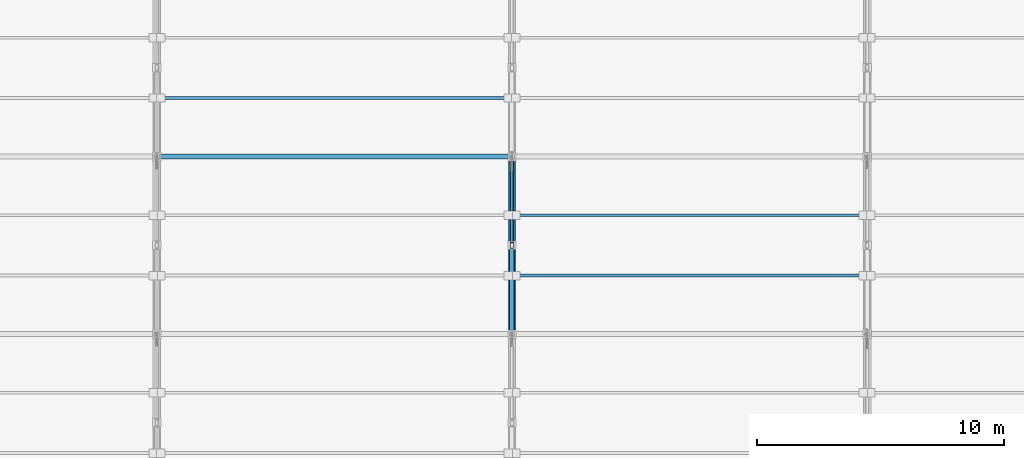
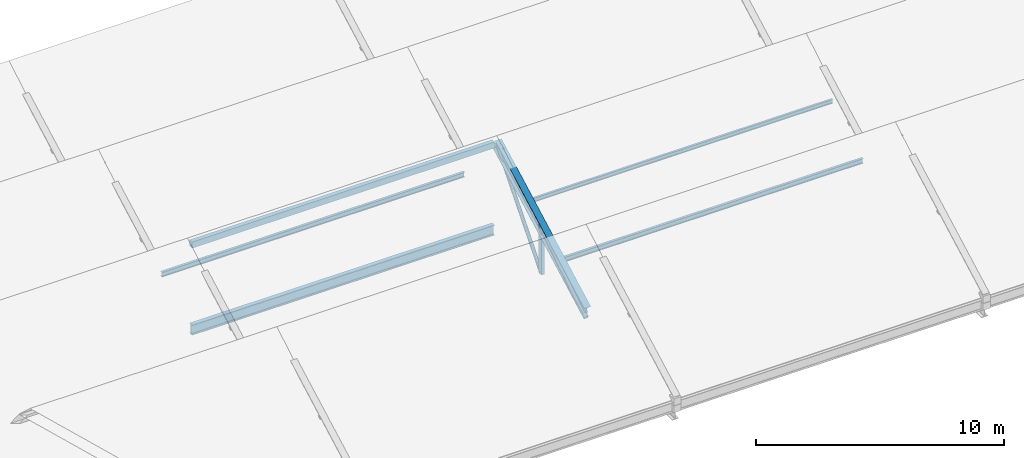
# One storey, part 15 of 51: 8 members, 1 beam.
"""IFC4 building model written with IfcOpenShell, lengths in metres."""

from ifc_helpers import new_model, si_unit, direction, frame, origin, origin_2d, place, context, subcontext, project, spatial, hollow_rectangle, hollow_circle, i_section, extrude, material, material_profile, profile_set, type_object, element, save


model = new_model("IFC4")

# Units and contexts
model_context = context("Model", 3, precision=1e-05, world=origin(), true_north=direction((0.0, 1.0)))
body_context = subcontext(model_context, "Body", "Model", "MODEL_VIEW")
ifc_project = project(units=[si_unit("LENGTHUNIT", "METRE"), si_unit("AREAUNIT", "SQUARE_METRE"), si_unit("VOLUMEUNIT", "CUBIC_METRE"), si_unit("PLANEANGLEUNIT", "RADIAN"), si_unit("MASSUNIT", "GRAM", prefix="KILO")], contexts=[model_context])

# Site, building, storey
site_placement = place(None, origin())
site = spatial("IfcSite", under=ifc_project, at=site_placement, CompositionType="ELEMENT")
building_placement = place(site_placement, origin())
building = spatial("IfcBuilding", under=site, at=building_placement, Name="Valkovuoma Quantum and Materials Research Institute", CompositionType="ELEMENT")
storey_placement = place(building_placement, frame((0.0, 0.0, 17.280029296875)))
storey = spatial("IfcBuildingStorey", under=building, at=storey_placement, Name="L04", CompositionType="ELEMENT", Elevation=17.280029296875)

# Beam
ifc_material_1 = material(Name="Steel S355J2", Category="steel")
ifc_material_profile_1 = material_profile(ifc_material_1, i_section(OverallWidth=0.199951171875, OverallDepth=0.5, WebThickness=0.01025390625, FlangeThickness=0.01611328125, FilletRadius=0.02099609375, at=origin_2d()), Name="Steel S355J2")
ifc_profile_set_1 = profile_set([ifc_material_profile_1], Name="Steel S355J2")
beam_type = type_object("IfcBeamType", Name="Beam-B-IPE500", PredefinedType="BEAM", material=ifc_profile_set_1)
beam_placement = place(storey_placement, frame((57.75, 50.39990234375, -0.300048828125), z_axis=(1.0, 0.0, 0.0), x_axis=(0.0, 1.0, 0.0)))
element("IfcBeam", 1, at=beam_placement, inside=storey, type_object=beam_type, Name="L04 VOL2 valley beam 3.2", PredefinedType="BEAM", context=body_context, shape_type="SweptSolid", body=[
    extrude(i_section(OverallWidth=0.199951171875, OverallDepth=0.5, WebThickness=0.01025390625, FlangeThickness=0.01611328125, FilletRadius=0.02099609375, at=origin_2d()), origin(), (0.0, 0.0, 1.0), 14.10009765625),
])

# Members
ifc_material_2 = material(Name="Steel S355J2H", Category="steel")
ifc_material_profile_2 = material_profile(ifc_material_2, hollow_circle(Radius=0.084228515625, WallThickness=0.008056640625, at=origin_2d()), Name="Steel S355J2H")
ifc_profile_set_2 = profile_set([ifc_material_profile_2], Name="Steel S355J2H")
member_type_1 = type_object("IfcMemberType", Name="Mem-M-BRC168", PredefinedType="BRACE", material=ifc_profile_set_2)
member_1_placement = place(storey_placement, frame((72.0, 46.800048828125, -0.35009765625), z_axis=(0.0, 0.647216384213, 0.762306337378), x_axis=(-1.0, 0.0, 0.0)))
element("IfcMember", 2, at=member_1_placement, inside=storey, type_object=member_type_1, Name="L04 VOL2 sawtooth web brace 3.2B", PredefinedType="BRACE", context=body_context, shape_type="SweptSolid", body=[
    extrude(hollow_circle(Radius=0.084228515625, WallThickness=0.008056640625, at=origin_2d()), origin(), (0.0, 0.0, 1.0), 5.56201171875),
])
ifc_material_3 = material(Name="Steel S355J2H", Category="steel")
ifc_material_profile_3 = material_profile(ifc_material_3, hollow_circle(Radius=0.109619140625, WallThickness=0.010009765625, at=origin_2d()), Name="Steel S355J2H")
ifc_profile_set_3 = profile_set([ifc_material_profile_3], Name="Steel S355J2H")
member_type_2 = type_object("IfcMemberType", Name="Mem-M-BRC219", PredefinedType="BRACE", material=ifc_profile_set_3)
member_2_placement = place(storey_placement, frame((72.0, 43.199951171875, -0.35009765625), z_axis=(0.0, 0.843216181903, 0.537574618613), x_axis=(-1.0, 0.0, 0.0)))
element("IfcMember", 3, at=member_2_placement, inside=storey, type_object=member_type_2, Name="L04 VOL2 sawtooth web brace 3.2A", PredefinedType="BRACE", context=body_context, shape_type="SweptSolid", body=[
    extrude(hollow_circle(Radius=0.109619140625, WallThickness=0.010009765625, at=origin_2d()), origin(), (0.0, 0.0, 1.0), 4.26953125),
])
ifc_material_4 = material(Name="Steel S355J2H", Category="steel")
ifc_material_profile_4 = material_profile(ifc_material_4, hollow_rectangle(XDim=0.199951171875, YDim=0.300048828125, WallThickness=0.012451171875, at=origin_2d()), Name="Steel S355J2H")
ifc_profile_set_4 = profile_set([ifc_material_profile_4], Name="Steel S355J2H")
member_type_3 = type_object("IfcMemberType", Name="Mem-M-CHD300", PredefinedType="CHORD", material=ifc_profile_set_4)
member_3_placement = place(storey_placement, frame((57.75, 50.39990234375, 3.889892578125), z_axis=(1.0, 0.0, 0.0), x_axis=(0.0, 1.0, 0.0)))
element("IfcMember", 4, at=member_3_placement, inside=storey, type_object=member_type_3, Name="L04 VOL2 ridge chord 2.2", PredefinedType="CHORD", context=body_context, shape_type="SweptSolid", body=[
    extrude(hollow_rectangle(XDim=0.199951171875, YDim=0.300048828125, WallThickness=0.012451171875, at=origin_2d()), origin(), (0.0, 0.0, 1.0), 14.10009765625),
])
ifc_material_5 = material(Name="Steel S355J2", Category="steel")
ifc_material_profile_5 = material_profile(ifc_material_5, i_section(OverallWidth=0.300048828125, OverallDepth=0.5, WebThickness=0.014404296875, FlangeThickness=0.028076171875, FilletRadius=0.027099609375, at=origin_2d()), Name="Steel S355J2")
ifc_profile_set_5 = profile_set([ifc_material_profile_5], Name="Steel S355J2")
member_type_4 = type_object("IfcMemberType", Name="Mem-M-CHD500", PredefinedType="CHORD", material=ifc_profile_set_5)
member_4_placement = place(storey_placement, frame((72.0, 43.199951171875, 0.0), z_axis=(0.0, 0.879807342754, 0.475330453091), x_axis=(-1.0, 0.0, 0.0)))
element("IfcMember", 5, at=member_4_placement, inside=storey, type_object=member_type_4, Name="L04 VOL2 sawtooth top chord 3.2", PredefinedType="CHORD", context=body_context, shape_type="SweptSolid", body=[
    extrude(i_section(OverallWidth=0.300048828125, OverallDepth=0.5, WebThickness=0.014404296875, FlangeThickness=0.028076171875, FilletRadius=0.027099609375, at=origin_2d()), origin(), (0.0, 0.0, 1.0), 8.18359375),
])
ifc_material_6 = material(Name="Steel S355J2", Category="steel")
ifc_material_profile_6 = material_profile(ifc_material_6, i_section(OverallWidth=0.10009765625, OverallDepth=0.199951171875, WebThickness=0.005615234375, FlangeThickness=0.008544921875, FilletRadius=0.011962890625, at=origin_2d()), Name="Steel S355J2")
ifc_profile_set_6 = profile_set([ifc_material_profile_6], Name="Steel S355J2")
member_type_5 = type_object("IfcMemberType", Name="Mem-M-PRL200", PredefinedType="PURLIN", material=ifc_profile_set_6)
member_5_placement = place(storey_placement, frame((72.14990234375, 48.02392578125, 2.405517578125), z_axis=(1.0, 0.0, 0.0), x_axis=(0.0, 1.0, 0.0)))
element("IfcMember", 6, at=member_5_placement, inside=storey, type_object=member_type_5, Name="L04 VOL2 roof purlin 2.3.2", PredefinedType="PURLIN", context=body_context, shape_type="SweptSolid", body=[
    extrude(i_section(OverallWidth=0.10009765625, OverallDepth=0.199951171875, WebThickness=0.005615234375, FlangeThickness=0.008544921875, FilletRadius=0.011962890625, at=origin_2d()), origin(), (0.0, 0.0, 1.0), 14.10009765625),
])
ifc_material_7 = material(Name="Steel S355J2", Category="steel")
ifc_material_profile_7 = material_profile(ifc_material_7, i_section(OverallWidth=0.1201171875, OverallDepth=0.239990234375, WebThickness=0.006103515625, FlangeThickness=0.009765625, FilletRadius=0.014892578125, at=origin_2d()), Name="Steel S355J2")
ifc_profile_set_7 = profile_set([ifc_material_profile_7], Name="Steel S355J2")
member_type_6 = type_object("IfcMemberType", Name="Mem-M-PRL240", PredefinedType="PURLIN", material=ifc_profile_set_7)
for number, where, z_axis, x_axis, name in (
    (7, (72.14990234375, 45.575927734375, 0.9638671875), (1.0, 0.0, 0.0), (0.0, 1.0, 0.0), "L04 VOL2 roof purlin 2.3.1"),
    (8, (57.75, 52.77587890625, 0.9638671875), (1.0, 0.0, 0.0), (0.0, 1.0, 0.0), "L04 VOL2 roof purlin 3.2.1"),
):
    element("IfcMember", number, at=place(storey_placement, frame(where, z_axis=z_axis, x_axis=x_axis)), inside=storey, type_object=member_type_6, Name=name, PredefinedType="PURLIN", context=body_context, shape_type="SweptSolid", body=[
        extrude(i_section(OverallWidth=0.1201171875, OverallDepth=0.239990234375, WebThickness=0.006103515625, FlangeThickness=0.009765625, FilletRadius=0.014892578125, at=origin_2d()), origin(), (0.0, 0.0, 1.0), 14.10009765625),
    ])
ifc_material_8 = material(Name="Steel S355J2H", Category="steel")
ifc_material_profile_8 = material_profile(ifc_material_8, hollow_rectangle(XDim=0.14990234375, YDim=0.25, WallThickness=0.010009765625, at=origin_2d()), Name="Steel S355J2H")
ifc_profile_set_8 = profile_set([ifc_material_profile_8], Name="Steel S355J2H")
member_type_7 = type_object("IfcMemberType", Name="Mem-M-STR250R", PredefinedType="STRUT", material=ifc_profile_set_8)
member_6_placement = place(storey_placement, frame((72.0, 46.800048828125, -0.35009765625), z_axis=(0.0, 0.0, 1.0), x_axis=(1.0, 0.0, 0.0)))
element("IfcMember", 9, at=member_6_placement, inside=storey, type_object=member_type_7, Name="L04 VOL2 sawtooth mid strut 3.2", PredefinedType="STRUT", context=body_context, shape_type="SweptSolid", body=[
    extrude(hollow_rectangle(XDim=0.14990234375, YDim=0.25, WallThickness=0.010009765625, at=origin_2d()), origin(), (0.0, 0.0, 1.0), 2.295166015625),
])

save(model, "model.ifc")
